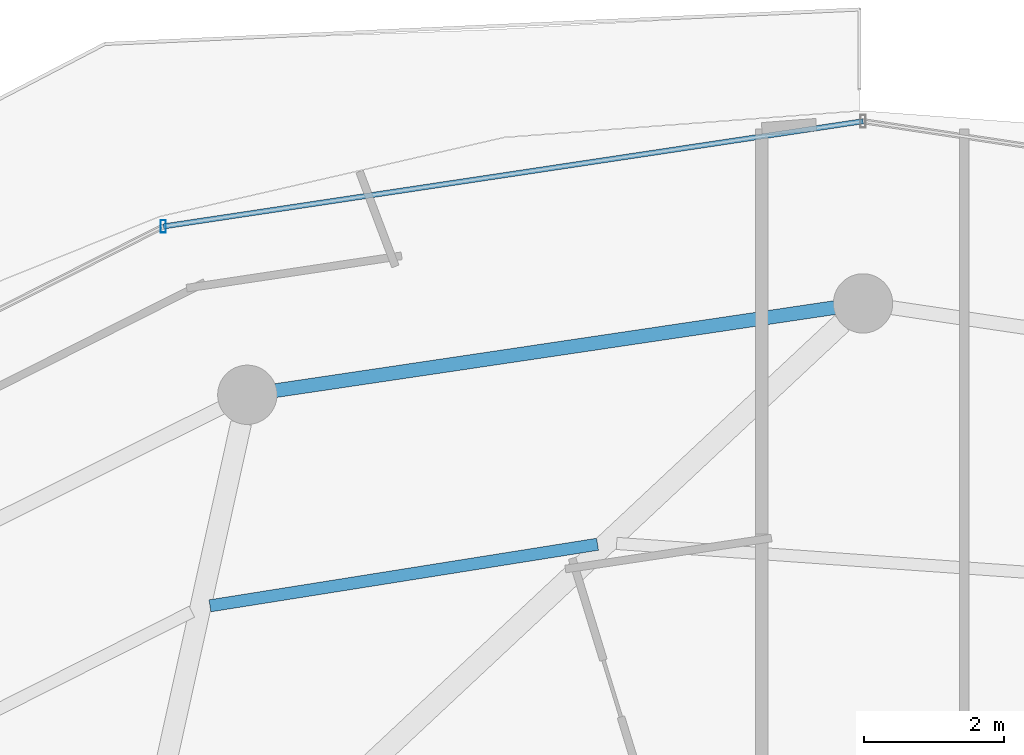
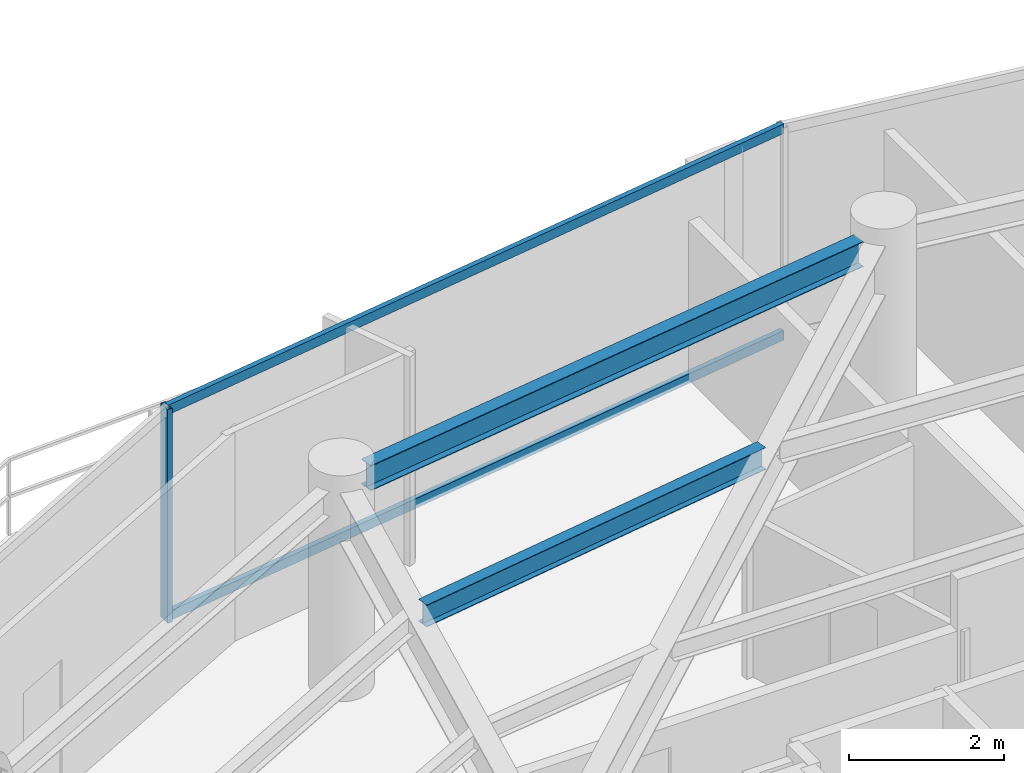
# One storey, part 17 of 30: 3 members, 2 beams, 1 element without a shape of its own.
"""IFC4 building model written with IfcOpenShell, lengths in metres."""

from ifc_helpers import new_model, si_unit, direction, frame, origin, origin_2d, place, context, subcontext, project, spatial, hollow_rectangle, i_section, extrude, material, material_profile, profile_set, type_object, element, aggregate, save


model = new_model("IFC4")

# Units and contexts
model_context = context("Model", 3, precision=1e-05, world=origin(), true_north=direction((0.0, 1.0)))
body_context = subcontext(model_context, "Body", "Model", "MODEL_VIEW")
ifc_project = project(units=[si_unit("LENGTHUNIT", "METRE"), si_unit("AREAUNIT", "SQUARE_METRE"), si_unit("VOLUMEUNIT", "CUBIC_METRE"), si_unit("PLANEANGLEUNIT", "RADIAN"), si_unit("MASSUNIT", "GRAM", prefix="KILO")], contexts=[model_context])

# Site, building, storey
site_placement = place(None, origin())
site = spatial("IfcSite", under=ifc_project, at=site_placement, CompositionType="ELEMENT")
building_placement = place(site_placement, origin())
building = spatial("IfcBuilding", under=site, at=building_placement, Name="Vorneva Point Tower", CompositionType="ELEMENT")
storey_placement = place(building_placement, frame((0.0, 0.0, 241.35009765625)))
storey = spatial("IfcBuildingStorey", under=building, at=storey_placement, Name="L65", CompositionType="ELEMENT", Elevation=241.35009765625)

# Beams
ifc_material_1 = material(Name="Steel S355", Category="steel")
ifc_material_profile_1 = material_profile(ifc_material_1, i_section(OverallWidth=0.174072265625, OverallDepth=0.345947265625, WebThickness=0.006103515625, FlangeThickness=0.009033203125, at=origin_2d()), Name="35B1")
ifc_profile_set_1 = profile_set([ifc_material_profile_1], Name="Steel S355")
beam_type_1 = type_object("IfcBeamType", Name="BM-SEC-35B1", PredefinedType="BEAM", material=ifc_profile_set_1)
beam_1_placement = place(storey_placement, frame((34.196044921875, 39.74951171875, 3.116943359375), z_axis=(-0.987609689716, -0.156930241762, 0.0), x_axis=(0.156930241762, -0.987609689716, 0.0)))
element("IfcBeam", 1, at=beam_1_placement, inside=storey, type_object=beam_type_1, Name="L65 Secondary Floor Beam 1.05", PredefinedType="BEAM", context=body_context, shape_type="SweptSolid", body=[
    extrude(i_section(OverallWidth=0.174072265625, OverallDepth=0.345947265625, WebThickness=0.006103515625, FlangeThickness=0.009033203125, at=origin_2d()), origin(), (0.0, 0.0, 1.0), 5.622314453125),
])
ifc_material_profile_2 = material_profile(ifc_material_1, i_section(OverallWidth=0.198974609375, OverallDepth=0.39599609375, WebThickness=0.007080078125, FlangeThickness=0.010986328125, at=origin_2d()), Name="40B1")
ifc_profile_set_2 = profile_set([ifc_material_profile_2], Name="Steel S355")
beam_type_2 = type_object("IfcBeamType", Name="BM-SPN-40B1", PredefinedType="SPANDREL", material=ifc_profile_set_2)
beam_2_placement = place(storey_placement, frame((37.594482421875, 43.139892578125, 3.091796875), z_axis=(-0.989161657331, -0.146830567886, 0.0), x_axis=(0.146830567886, -0.989161657331, 0.0)))
element("IfcBeam", 2, at=beam_2_placement, inside=storey, type_object=beam_type_2, Name="L65 Perimeter Spandrel Ring Beam 05", PredefinedType="SPANDREL", context=body_context, shape_type="SweptSolid", body=[
    extrude(i_section(OverallWidth=0.198974609375, OverallDepth=0.39599609375, WebThickness=0.007080078125, FlangeThickness=0.010986328125, at=origin_2d()), origin(), (0.0, 0.0, 1.0), 8.097412109375),
])

# Curtain wall, members
ifc_material_2 = material(Name="Pale anodised aluminium", Category="aluminium")
curtain_wall_type = type_object("IfcCurtainWallType", Name="CW-RES-SYS", PredefinedType="NOTDEFINED", material=ifc_material_2)
curtain_wall_placement = place(storey_placement, origin())
curtain_wall = element("IfcCurtainWall", 3, at=curtain_wall_placement, inside=storey, type_object=curtain_wall_type, Name="L65 Unitised Curtain Wall CW-L65-R02", PredefinedType="NOTDEFINED")
ifc_material_profile_3 = material_profile(ifc_material_2, hollow_rectangle(XDim=0.074951171875, YDim=0.179931640625, WallThickness=0.00390625, at=origin_2d()), Name="AL-MUL 180x75x4")
ifc_profile_set_3 = profile_set([ifc_material_profile_3], Name="Pale anodised aluminium")
member_type_1 = type_object("IfcMemberType", Name="CW-MUL-180", PredefinedType="MULLION", material=ifc_profile_set_3)
member_1_placement = place(storey_placement, frame((27.9736328125, 44.302001953125, -0.0400390625), z_axis=(0.0, 0.0, 1.0), x_axis=(1.0, 0.0, 0.0)))
member_1 = element("IfcMember", 4, at=member_1_placement, type_object=member_type_1, Name="CW-L65-R02 Mullion 04", PredefinedType="MULLION", context=body_context, shape_type="SweptSolid", body=[
    extrude(hollow_rectangle(XDim=0.074951171875, YDim=0.179931640625, WallThickness=0.00390625, at=origin_2d()), origin(), (0.0, 0.0, 1.0), 3.35986328125),
])
ifc_material_profile_4 = material_profile(ifc_material_2, hollow_rectangle(XDim=0.074951171875, YDim=0.14990234375, WallThickness=0.00390625, at=origin_2d()), Name="AL-TRN 150x75x4")
ifc_profile_set_4 = profile_set([ifc_material_profile_4], Name="Pale anodised aluminium")
member_type_2 = type_object("IfcMemberType", Name="CW-TRN-150", PredefinedType="USERDEFINED", material=ifc_profile_set_4)
member_2_placement = place(storey_placement, frame((38.0, 45.81005859375, 0.02001953125), z_axis=(-0.988876929856, -0.148736066907, 0.0), x_axis=(0.148736066907, -0.988876929856, 0.0)))
member_2 = element("IfcMember", 5, at=member_2_placement, type_object=member_type_2, Name="CW-L65-R02 Transom 03.1", ObjectType="TRANSOM", PredefinedType="USERDEFINED", context=body_context, shape_type="SweptSolid", body=[
    extrude(hollow_rectangle(XDim=0.074951171875, YDim=0.14990234375, WallThickness=0.00390625, at=origin_2d()), origin(), (0.0, 0.0, 1.0), 10.13916015625),
])
member_3_placement = place(storey_placement, frame((38.0, 45.81005859375, 3.27001953125), z_axis=(-0.988876929856, -0.148736066907, 0.0), x_axis=(0.148736066907, -0.988876929856, 0.0)))
member_3 = element("IfcMember", 6, at=member_3_placement, type_object=member_type_2, Name="CW-L65-R02 Transom 03.2", ObjectType="TRANSOM", PredefinedType="USERDEFINED", context=body_context, shape_type="SweptSolid", body=[
    extrude(hollow_rectangle(XDim=0.074951171875, YDim=0.14990234375, WallThickness=0.00390625, at=origin_2d()), origin(), (0.0, 0.0, 1.0), 10.13916015625),
])
aggregate(curtain_wall, [member_1, member_2, member_3])

save(model, "model.ifc")
